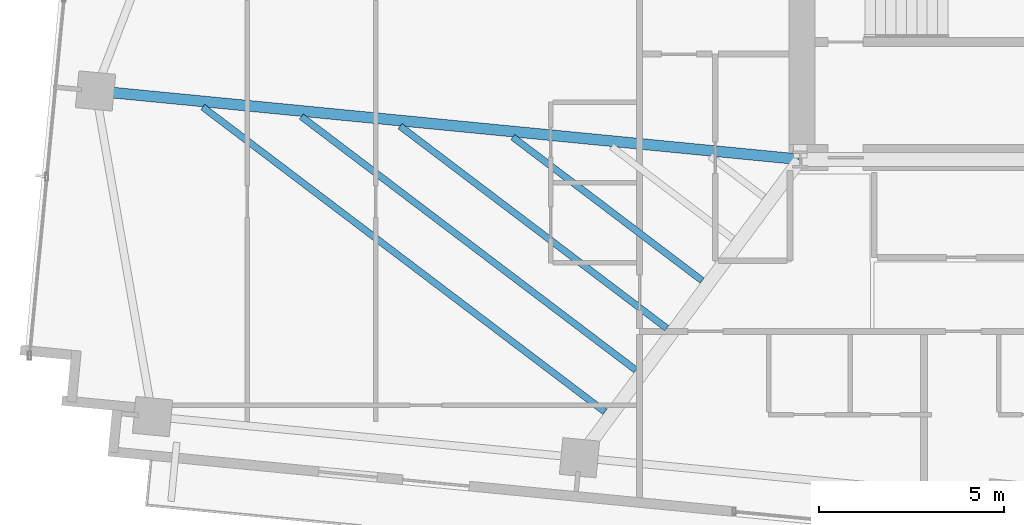
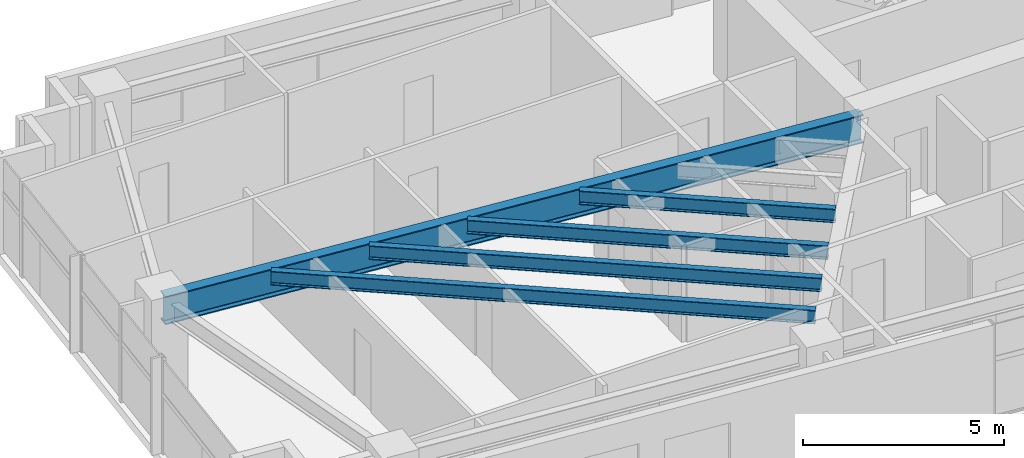
# One storey, part 3 of 19: 5 beams.
"""IFC4 building model written with IfcOpenShell, lengths in metres."""

from ifc_helpers import new_model, si_unit, direction, frame, origin, origin_2d, place, context, subcontext, project, spatial, i_section, extrude, source, transform, mapped, material, material_profile, profile_set, type_object, type_shapes, element, save


model = new_model("IFC4")

# Units and contexts
model_context = context("Model", 3, precision=1e-05, world=origin(), true_north=direction((0.0, 1.0)))
body_context = subcontext(model_context, "Body", "Model", "MODEL_VIEW")
ifc_project = project(units=[si_unit("LENGTHUNIT", "METRE"), si_unit("AREAUNIT", "SQUARE_METRE"), si_unit("VOLUMEUNIT", "CUBIC_METRE"), si_unit("PLANEANGLEUNIT", "RADIAN"), si_unit("MASSUNIT", "GRAM", prefix="KILO")], contexts=[model_context])

# Site, building, storey
site_placement = place(None, origin())
site = spatial("IfcSite", under=ifc_project, at=site_placement, CompositionType="ELEMENT")
building_placement = place(site_placement, origin())
building = spatial("IfcBuilding", under=site, at=building_placement, Name="Astriad Promenade Condominiums", CompositionType="ELEMENT")
storey_placement = place(building_placement, frame((0.0, 0.0, 143.800048828125)))
storey = spatial("IfcBuildingStorey", under=building, at=storey_placement, Name="L41", CompositionType="ELEMENT", Elevation=143.800048828125)

# Beams
ifc_material = material(Name="Steel ASTM A992 Grade 50", Category="steel")
ifc_material_profile_1 = material_profile(ifc_material, i_section(OverallWidth=0.2919921875, OverallDepth=0.85888671875, WebThickness=0.01708984375, FlangeThickness=0.031005859375, FilletRadius=0.02294921875, at=origin_2d()), Name="W33X169")
ifc_profile_set_1 = profile_set([ifc_material_profile_1], Name="Steel ASTM A992 Grade 50")
beam_type_1 = type_object("IfcBeamType", Name="STEEL PRIMARY GIRDER W33X169", PredefinedType="BEAM", material=ifc_profile_set_1)
shared_shape_1 = source(origin(), body_context, "Body", "SweptSolid", [
    extrude(i_section(OverallWidth=0.2919921875, OverallDepth=0.85888671875, WebThickness=0.01708984375, FlangeThickness=0.031005859375, FilletRadius=0.02294921875, at=origin_2d()), origin(), (0.0, 0.0, 1.0), 19.07177734375),
])
type_shapes(beam_type_1, [shared_shape_1])
beam_1_placement = place(storey_placement, frame((7.377685546875, 19.247802734375, 2.510498046875), z_axis=(0.995314830032, -0.096687068001, 0.0), x_axis=(0.096687068001, 0.995314830032, 0.0)))
element("IfcBeam", 1, at=beam_1_placement, inside=storey, type_object=beam_type_1, Name="Primary Floor Girder PG-WM-L41", PredefinedType="BEAM", context=body_context, shape_type="MappedRepresentation", body=[
    mapped(shared_shape_1, transform((0.0, 0.0, 0.0), scale=1.0)),
])
ifc_material_profile_2 = material_profile(ifc_material, i_section(OverallWidth=0.180908203125, OverallDepth=0.417236328125, WebThickness=0.010986328125, FlangeThickness=0.018310546875, FilletRadius=0.013916015625, at=origin_2d()), Name="W16X57")
ifc_profile_set_2 = profile_set([ifc_material_profile_2], Name="Steel ASTM A992 Grade 50")
beam_type_2 = type_object("IfcBeamType", Name="STEEL FLOOR JOIST W16X57", PredefinedType="JOIST", material=ifc_profile_set_2)
shared_shape_2 = source(origin(), body_context, "Body", "SweptSolid", [
    extrude(i_section(OverallWidth=0.180908203125, OverallDepth=0.417236328125, WebThickness=0.010986328125, FlangeThickness=0.018310546875, FilletRadius=0.013916015625, at=origin_2d()), origin(), (0.0, 0.0, 1.0), 13.64697265625),
])
beam_2_placement = place(storey_placement, frame((10.236572265625, 18.818115234375, 2.7314453125), z_axis=(0.796973667543, -0.604014050534, 0.0), x_axis=(0.604014050534, 0.796973667543, 0.0)))
element("IfcBeam", 2, at=beam_2_placement, inside=storey, type_object=beam_type_2, Name="Secondary Composite Floor Joist JW1-1-L41", PredefinedType="JOIST", context=body_context, shape_type="MappedRepresentation", body=[
    mapped(shared_shape_2, transform((0.0, 0.0, 0.0), scale=1.0)),
])
shared_shape_3 = source(origin(), body_context, "Body", "SweptSolid", [
    extrude(i_section(OverallWidth=0.180908203125, OverallDepth=0.417236328125, WebThickness=0.010986328125, FlangeThickness=0.018310546875, FilletRadius=0.013916015625, at=origin_2d()), origin(), (0.0, 0.0, 1.0), 11.347412109375),
])
beam_3_placement = place(storey_placement, frame((12.9052734375, 18.558837890625, 2.7314453125), z_axis=(0.796976964849, -0.60400969984, 0.0), x_axis=(0.60400969984, 0.796976964849, 0.0)))
element("IfcBeam", 3, at=beam_3_placement, inside=storey, type_object=beam_type_2, Name="Secondary Composite Floor Joist JW1-2-L41", PredefinedType="JOIST", context=body_context, shape_type="MappedRepresentation", body=[
    mapped(shared_shape_3, transform((0.0, 0.0, 0.0), scale=1.0)),
])
shared_shape_4 = source(origin(), body_context, "Body", "SweptSolid", [
    extrude(i_section(OverallWidth=0.180908203125, OverallDepth=0.417236328125, WebThickness=0.010986328125, FlangeThickness=0.018310546875, FilletRadius=0.013916015625, at=origin_2d()), origin(), (0.0, 0.0, 1.0), 9.048095703125),
])
beam_4_placement = place(storey_placement, frame((15.573974609375, 18.299560546875, 2.7314453125), z_axis=(0.796981937997, -0.604003137829, 0.0), x_axis=(0.604003137829, 0.796981937997, 0.0)))
element("IfcBeam", 4, at=beam_4_placement, inside=storey, type_object=beam_type_2, Name="Secondary Composite Floor Joist JW1-3-L41", PredefinedType="JOIST", context=body_context, shape_type="MappedRepresentation", body=[
    mapped(shared_shape_4, transform((0.0, 0.0, 0.0), scale=1.0)),
])
shared_shape_5 = source(origin(), body_context, "Body", "SweptSolid", [
    extrude(i_section(OverallWidth=0.180908203125, OverallDepth=0.417236328125, WebThickness=0.010986328125, FlangeThickness=0.018310546875, FilletRadius=0.013916015625, at=origin_2d()), origin(), (0.0, 0.0, 1.0), 6.420654296875),
])
type_shapes(beam_type_2, [shared_shape_2, shared_shape_3, shared_shape_4, shared_shape_5])
beam_5_placement = place(storey_placement, frame((18.6240234375, 18.00341796875, 2.7314453125), z_axis=(0.796964567146, -0.604026057976, 0.0), x_axis=(0.604026057976, 0.796964567146, 0.0)))
element("IfcBeam", 5, at=beam_5_placement, inside=storey, type_object=beam_type_2, Name="Secondary Composite Floor Joist JW1-4-L41", PredefinedType="JOIST", context=body_context, shape_type="MappedRepresentation", body=[
    mapped(shared_shape_5, transform((0.0, 0.0, 0.0), scale=1.0)),
])

save(model, "model.ifc")
